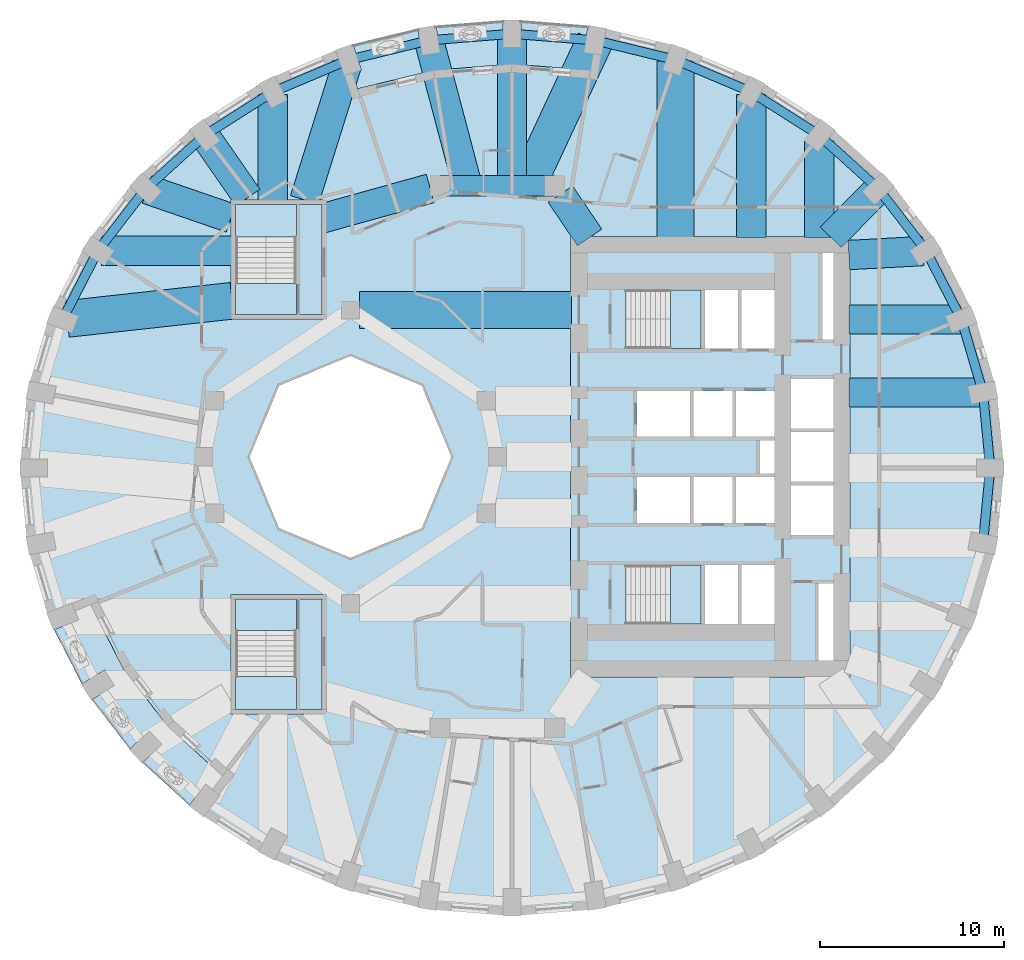
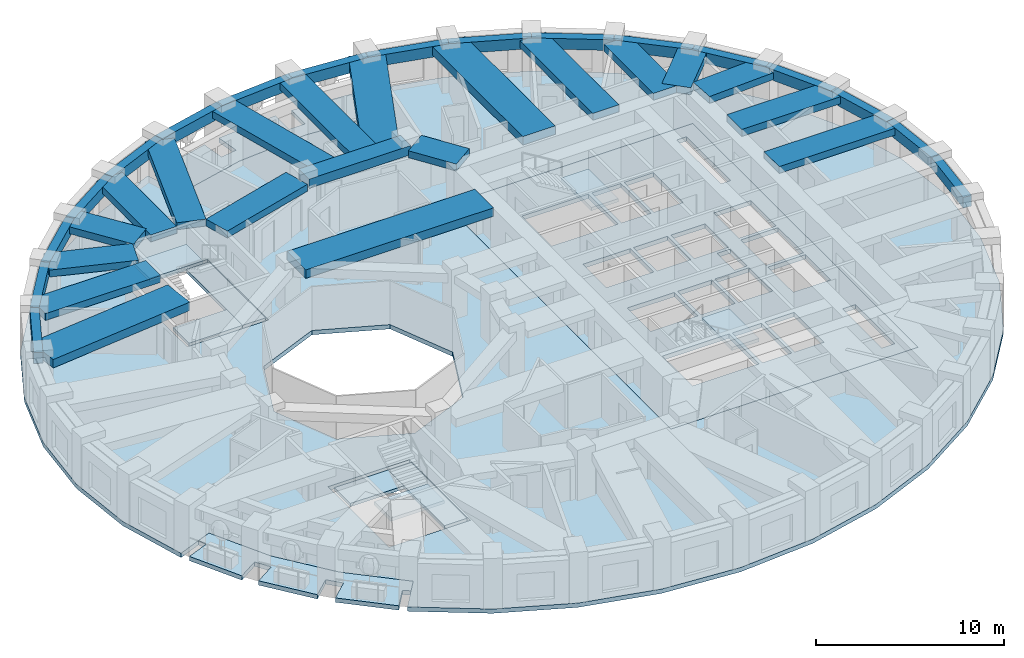
# One storey, part 2 of 12: 37 beams, 12 slabs, 4 elements without a shape of their own.
"""IFC4 building model written with IfcOpenShell, lengths in metres."""

from ifc_helpers import new_model, si_unit, direction, frame, origin, origin_2d, place, context, subcontext, project, spatial, polyline, rectangle, outline, extrude, material, layer, layer_set, material_profile, profile_set, type_object, element, aggregate, save


model = new_model("IFC4")

# Units and contexts
model_context = context("Model", 3, precision=1e-05, world=origin(), true_north=direction((0.0, 1.0)))
body_context = subcontext(model_context, "Body", "Model", "MODEL_VIEW")
ifc_project = project(units=[si_unit("LENGTHUNIT", "METRE"), si_unit("AREAUNIT", "SQUARE_METRE"), si_unit("VOLUMEUNIT", "CUBIC_METRE"), si_unit("PLANEANGLEUNIT", "RADIAN"), si_unit("MASSUNIT", "GRAM", prefix="KILO")], contexts=[model_context])

# Site, building, storey
site_placement = place(None, origin())
site = spatial("IfcSite", under=ifc_project, at=site_placement, CompositionType="ELEMENT")
building_placement = place(site_placement, origin())
building = spatial("IfcBuilding", under=site, at=building_placement, Name="Taillehof Tower", CompositionType="ELEMENT")
storey_placement = place(building_placement, frame((0.0, 0.0, 131.800048828125)))
storey = spatial("IfcBuildingStorey", under=building, at=storey_placement, Name="L37", CompositionType="ELEMENT", Elevation=131.800048828125)

# Beams
ifc_material_1 = material(Name="Concrete C50/60", Category="concrete")
ifc_material_profile_1 = material_profile(ifc_material_1, rectangle(XDim=1.10009765625, YDim=0.60009765625, at=origin_2d()), Name="RC 1100x600")
ifc_profile_set_1 = profile_set([ifc_material_profile_1], Name="Concrete C50/60")
beam_type_1 = type_object("IfcBeamType", Name="Mid-ring beam C50/60 1100x600", PredefinedType="BEAM", material=ifc_profile_set_1)
beam_1_placement = place(storey_placement, frame((3.125732421875, 14.772216796875, 2.550048828125), z_axis=(-1.0, 0.0, 0.0), x_axis=(0.0, -1.0, 0.0)))
element("IfcBeam", 1, at=beam_1_placement, inside=storey, type_object=beam_type_1, Name="Mid-ring beam MB01", PredefinedType="BEAM", context=body_context, shape_type="SweptSolid", body=[
    extrude(rectangle(XDim=1.10009765625, YDim=0.60009765625, at=origin_2d()), origin(), (0.0, 0.0, 1.0), 6.25146484375),
])
ifc_material_2 = material(Name="Concrete C50/60", Category="concrete")
ifc_material_profile_2 = material_profile(ifc_material_2, rectangle(XDim=1.60009765625, YDim=0.449951171875, at=origin_2d()), Name="RC 1600x450")
ifc_profile_set_2 = profile_set([ifc_material_profile_2], Name="Concrete C50/60")
beam_type_2 = type_object("IfcBeamType", Name="Radial band beam C50/60 1600x450", PredefinedType="BEAM", material=ifc_profile_set_2)
beam_2_placement = place(storey_placement, frame((26.454345703125, 3.5068359375, 2.625), z_axis=(-1.0, 0.0, 0.0), x_axis=(0.0, -1.0, 0.0)))
element("IfcBeam", 2, at=beam_2_placement, inside=storey, type_object=beam_type_2, Name="Radial band beam RB02", PredefinedType="BEAM", context=body_context, shape_type="SweptSolid", body=[
    extrude(rectangle(XDim=1.60009765625, YDim=0.449951171875, at=origin_2d()), origin(), (0.0, 0.0, 1.0), 7.304443359375),
])
beam_3_placement = place(storey_placement, frame((25.2275390625, 7.48876953125, 2.625), z_axis=(-1.0, 0.0, 0.0), x_axis=(0.0, -1.0, 0.0)))
element("IfcBeam", 3, at=beam_3_placement, inside=storey, type_object=beam_type_2, Name="Radial band beam RB03", PredefinedType="BEAM", context=body_context, shape_type="SweptSolid", body=[
    extrude(rectangle(XDim=1.60009765625, YDim=0.449951171875, at=origin_2d()), origin(), (0.0, 0.0, 1.0), 6.07763671875),
])
beam_4_placement = place(storey_placement, frame((23.197021484375, 11.21630859375, 2.625), z_axis=(-0.998539024739, -0.054035322466, 0.0), x_axis=(0.054035322466, -0.998539024739, 0.0)))
element("IfcBeam", 4, at=beam_4_placement, inside=storey, type_object=beam_type_2, Name="Radial band beam RB04", PredefinedType="BEAM", context=body_context, shape_type="SweptSolid", body=[
    extrude(rectangle(XDim=1.60009765625, YDim=0.449951171875, at=origin_2d()), origin(), (0.0, 0.0, 1.0), 4.052734375),
])
beam_5_placement = place(storey_placement, frame((20.75537109375, 14.60205078125, 2.625), z_axis=(-0.700671998657, -0.713483531903, 0.0), x_axis=(0.713483531903, -0.700671998657, 0.0)))
element("IfcBeam", 5, at=beam_5_placement, inside=storey, type_object=beam_type_2, Name="Radial band beam RB05", PredefinedType="BEAM", context=body_context, shape_type="SweptSolid", body=[
    extrude(rectangle(XDim=1.60009765625, YDim=0.449951171875, at=origin_2d()), origin(), (0.0, 0.0, 1.0), 3.697021484375),
])
beam_6_placement = place(storey_placement, frame((17.544677734375, 17.2216796875, 2.625), z_axis=(0.0, -1.0, 0.0), x_axis=(1.0, 0.0, 0.0)))
element("IfcBeam", 6, at=beam_6_placement, inside=storey, type_object=beam_type_2, Name="Radial band beam RB06", PredefinedType="BEAM", context=body_context, shape_type="SweptSolid", body=[
    extrude(rectangle(XDim=1.60009765625, YDim=0.449951171875, at=origin_2d()), origin(), (0.0, 0.0, 1.0), 5.271728515625),
])
beam_7_placement = place(storey_placement, frame((13.824951171875, 19.744384765625, 2.625), z_axis=(0.0, -1.0, 0.0), x_axis=(1.0, 0.0, 0.0)))
element("IfcBeam", 7, at=beam_7_placement, inside=storey, type_object=beam_type_2, Name="Radial band beam RB07", PredefinedType="BEAM", context=body_context, shape_type="SweptSolid", body=[
    extrude(rectangle(XDim=1.60009765625, YDim=0.449951171875, at=origin_2d()), origin(), (0.0, 0.0, 1.0), 7.79443359375),
])
beam_8_placement = place(storey_placement, frame((0.800048828125, 23.050048828125, 2.625), z_axis=(0.0, -1.0, 0.0), x_axis=(1.0, 0.0, 0.0)))
element("IfcBeam", 8, at=beam_8_placement, inside=storey, type_object=beam_type_2, Name="Radial band beam RB10", PredefinedType="BEAM", context=body_context, shape_type="SweptSolid", body=[
    extrude(rectangle(XDim=1.60009765625, YDim=0.449951171875, at=origin_2d()), origin(), (0.0, 0.0, 1.0), 8.27783203125),
])
beam_9_placement = place(storey_placement, frame((-3.7236328125, 22.690673828125, 2.625), z_axis=(0.256102263642, -0.966649693817, 0.0), x_axis=(0.966649693817, 0.256102263642, 0.0)))
element("IfcBeam", 9, at=beam_9_placement, inside=storey, type_object=beam_type_2, Name="Radial band beam RB11", PredefinedType="BEAM", context=body_context, shape_type="SweptSolid", body=[
    extrude(rectangle(XDim=1.60009765625, YDim=0.449951171875, at=origin_2d()), origin(), (0.0, 0.0, 1.0), 8.191650390625),
])
beam_10_placement = place(storey_placement, frame((-8.189453125, 21.369140625, 2.625), z_axis=(-0.299184997435, -0.954195125386, 0.0), x_axis=(0.954195125386, -0.299184997435, 0.0)))
element("IfcBeam", 10, at=beam_10_placement, inside=storey, type_object=beam_type_2, Name="Radial band beam RB12", PredefinedType="BEAM", context=body_context, shape_type="SweptSolid", body=[
    extrude(rectangle(XDim=1.60009765625, YDim=0.449951171875, at=origin_2d()), origin(), (0.0, 0.0, 1.0), 7.728515625),
])
beam_11_placement = place(storey_placement, frame((-12.22509765625, 19.744384765625, 2.625), z_axis=(0.0, -1.0, 0.0), x_axis=(1.0, 0.0, 0.0)))
element("IfcBeam", 11, at=beam_11_placement, inside=storey, type_object=beam_type_2, Name="Radial band beam RB13", PredefinedType="BEAM", context=body_context, shape_type="SweptSolid", body=[
    extrude(rectangle(XDim=1.60009765625, YDim=0.449951171875, at=origin_2d()), origin(), (0.0, 0.0, 1.0), 5.79443359375),
])
beam_12_placement = place(storey_placement, frame((-15.944580078125, 17.516845703125, 2.625), z_axis=(0.570763290366, -0.821114648737, 0.0), x_axis=(0.821114648737, 0.570763290366, 0.0)))
element("IfcBeam", 12, at=beam_12_placement, inside=storey, type_object=beam_type_2, Name="Radial band beam RB14", PredefinedType="BEAM", context=body_context, shape_type="SweptSolid", body=[
    extrude(rectangle(XDim=1.60009765625, YDim=0.449951171875, at=origin_2d()), origin(), (0.0, 0.0, 1.0), 4.1328125),
])
beam_13_placement = place(storey_placement, frame((-19.080810546875, 14.576171875, 2.625), z_axis=(0.945583195076, -0.325380425334, 0.0), x_axis=(0.325380425334, 0.945583195076, 0.0)))
element("IfcBeam", 13, at=beam_13_placement, inside=storey, type_object=beam_type_2, Name="Radial band beam RB15", PredefinedType="BEAM", context=body_context, shape_type="SweptSolid", body=[
    extrude(rectangle(XDim=1.60009765625, YDim=0.449951171875, at=origin_2d()), origin(), (0.0, 0.0, 1.0), 4.83349609375),
])
beam_14_placement = place(storey_placement, frame((-21.54736328125, 11.22509765625, 2.625), z_axis=(1.0, 0.0, 0.0), x_axis=(0.0, 1.0, 0.0)))
element("IfcBeam", 14, at=beam_14_placement, inside=storey, type_object=beam_type_2, Name="Radial band beam RB16", PredefinedType="BEAM", context=body_context, shape_type="SweptSolid", body=[
    extrude(rectangle(XDim=1.60009765625, YDim=0.449951171875, at=origin_2d()), origin(), (0.0, 0.0, 1.0), 7.097412109375),
])
beam_15_placement = place(storey_placement, frame((3.433837890625, 14.31640625, 2.625), z_axis=(0.560112043398, -0.828416862962, 0.0), x_axis=(0.828416862962, 0.560112043398, 0.0)))
element("IfcBeam", 15, at=beam_15_placement, inside=storey, type_object=beam_type_2, Name="Inner band beam IB205", PredefinedType="BEAM", context=body_context, shape_type="SweptSolid", body=[
    extrude(rectangle(XDim=1.60009765625, YDim=0.449951171875, at=origin_2d()), origin(), (0.0, 0.0, 1.0), 2.84619140625),
])
beam_16_placement = place(storey_placement, frame((-3.655517578125, 14.624755859375, 2.625), z_axis=(-0.963459369536, -0.267854518821, 0.0), x_axis=(0.267854518821, -0.963459369536, 0.0)))
element("IfcBeam", 16, at=beam_16_placement, inside=storey, type_object=beam_type_2, Name="Inner band beam IB206", PredefinedType="BEAM", context=body_context, shape_type="SweptSolid", body=[
    extrude(rectangle(XDim=1.60009765625, YDim=0.449951171875, at=origin_2d()), origin(), (0.0, 0.0, 1.0), 6.096923828125),
])
ifc_material_3 = material(Name="Concrete C50/60", Category="concrete")
ifc_material_profile_3 = material_profile(ifc_material_3, rectangle(XDim=2.0, YDim=0.550048828125, at=origin_2d()), Name="RC 2000x550")
ifc_profile_set_3 = profile_set([ifc_material_profile_3], Name="Concrete C50/60")
beam_type_3 = type_object("IfcBeamType", Name="Radial band beam C50/60 2000x550", PredefinedType="BEAM", material=ifc_profile_set_3)
beam_17_placement = place(storey_placement, frame((9.709716796875, 21.556640625, 2.574951171875), z_axis=(0.0, -1.0, 0.0), x_axis=(1.0, 0.0, 0.0)))
element("IfcBeam", 17, at=beam_17_placement, inside=storey, type_object=beam_type_3, Name="Radial band beam RB08", PredefinedType="BEAM", context=body_context, shape_type="SweptSolid", body=[
    extrude(rectangle(XDim=2.0, YDim=0.550048828125, at=origin_2d()), origin(), (0.0, 0.0, 1.0), 9.606689453125),
])
beam_18_placement = place(storey_placement, frame((5.312744140625, 22.66748046875, 2.574951171875), z_axis=(-0.423126261145, -0.90607072965, 0.0), x_axis=(0.90607072965, -0.423126261145, 0.0)))
element("IfcBeam", 18, at=beam_18_placement, inside=storey, type_object=beam_type_3, Name="Radial band beam RB09", PredefinedType="BEAM", context=body_context, shape_type="SweptSolid", body=[
    extrude(rectangle(XDim=2.0, YDim=0.550048828125, at=origin_2d()), origin(), (0.0, 0.0, 1.0), 8.713623046875),
])
beam_19_placement = place(storey_placement, frame((-23.42919921875, 7.516357421875, 2.574951171875), z_axis=(0.993988424713, 0.109485211499, 0.0), x_axis=(-0.109485211499, 0.993988424713, 0.0)))
element("IfcBeam", 19, at=beam_19_placement, inside=storey, type_object=beam_type_3, Name="Radial band beam RB17", PredefinedType="BEAM", context=body_context, shape_type="SweptSolid", body=[
    extrude(rectangle(XDim=2.0, YDim=0.550048828125, at=origin_2d()), origin(), (0.0, 0.0, 1.0), 9.033203125),
])
beam_20_placement = place(storey_placement, frame((-7.5, 8.0, 2.574951171875), z_axis=(1.0, 0.0, 0.0), x_axis=(0.0, 1.0, 0.0)))
element("IfcBeam", 20, at=beam_20_placement, inside=storey, type_object=beam_type_3, Name="Inner band beam IB105", PredefinedType="BEAM", context=body_context, shape_type="SweptSolid", body=[
    extrude(rectangle(XDim=2.0, YDim=0.550048828125, at=origin_2d()), origin(), (0.0, 0.0, 1.0), 11.550048828125),
])
ifc_material_4 = material(Name="Concrete C50/60", Category="concrete")
ifc_material_profile_4 = material_profile(ifc_material_4, rectangle(XDim=0.5, YDim=0.699951171875, at=origin_2d()), Name="RC 500x700")
ifc_profile_set_4 = profile_set([ifc_material_profile_4], Name="Concrete C50/60")
beam_type_4 = type_object("IfcBeamType", Name="Spandrel beam C50/60 500x700", PredefinedType="SPANDREL", material=ifc_profile_set_4)
beam_21_placement = place(storey_placement, frame((26.85009765625, -0.60009765625, 2.5), z_axis=(-0.095917608943, 0.995389276763, 0.0), x_axis=(-0.995389276763, -0.095917608943, 0.0)))
element("IfcBeam", 21, at=beam_21_placement, inside=storey, type_object=beam_type_4, Name="Spandrel beam SB01", PredefinedType="SPANDREL", context=body_context, shape_type="SweptSolid", body=[
    extrude(rectangle(XDim=0.5, YDim=0.699951171875, at=origin_2d()), origin(), (0.0, 0.0, 1.0), 4.1259765625),
])
beam_22_placement = place(storey_placement, frame((26.454345703125, 3.5068359375, 2.5), z_axis=(-0.28308309012, 0.95909538842, 0.0), x_axis=(-0.95909538842, -0.28308309012, 0.0)))
element("IfcBeam", 22, at=beam_22_placement, inside=storey, type_object=beam_type_4, Name="Spandrel beam SB02", PredefinedType="SPANDREL", context=body_context, shape_type="SweptSolid", body=[
    extrude(rectangle(XDim=0.5, YDim=0.699951171875, at=origin_2d()), origin(), (0.0, 0.0, 1.0), 4.15185546875),
])
beam_23_placement = place(storey_placement, frame((25.279052734375, 7.48876953125, 2.5), z_axis=(-0.456905372708, 0.88951530644, 0.0), x_axis=(-0.88951530644, -0.456905372708, 0.0)))
element("IfcBeam", 23, at=beam_23_placement, inside=storey, type_object=beam_type_4, Name="Spandrel beam SB03", PredefinedType="SPANDREL", context=body_context, shape_type="SweptSolid", body=[
    extrude(rectangle(XDim=0.5, YDim=0.699951171875, at=origin_2d()), origin(), (0.0, 0.0, 1.0), 4.200439453125),
])
beam_24_placement = place(storey_placement, frame((23.35986328125, 11.22509765625, 2.5), z_axis=(-0.61071731561, 0.79184869793, 0.0), x_axis=(-0.79184869793, -0.61071731561, 0.0)))
element("IfcBeam", 24, at=beam_24_placement, inside=storey, type_object=beam_type_4, Name="Spandrel beam SB04", PredefinedType="SPANDREL", context=body_context, shape_type="SweptSolid", body=[
    extrude(rectangle(XDim=0.5, YDim=0.699951171875, at=origin_2d()), origin(), (0.0, 0.0, 1.0), 4.2646484375),
])
beam_25_placement = place(storey_placement, frame((20.75537109375, 14.60205078125, 2.5), z_axis=(-0.740400998917, 0.672165426665, 0.0), x_axis=(-0.672165426665, -0.740400998917, 0.0)))
element("IfcBeam", 25, at=beam_25_placement, inside=storey, type_object=beam_type_4, Name="Spandrel beam SB05", PredefinedType="SPANDREL", context=body_context, shape_type="SweptSolid", body=[
    extrude(rectangle(XDim=0.5, YDim=0.699951171875, at=origin_2d()), origin(), (0.0, 0.0, 1.0), 4.33642578125),
])
beam_26_placement = place(storey_placement, frame((17.544677734375, 17.516845703125, 2.5), z_axis=(-0.843903157847, 0.536495536027, 0.0), x_axis=(-0.536495536027, -0.843903157847, 0.0)))
element("IfcBeam", 26, at=beam_26_placement, inside=storey, type_object=beam_type_4, Name="Spandrel beam SB06", PredefinedType="SPANDREL", context=body_context, shape_type="SweptSolid", body=[
    extrude(rectangle(XDim=0.5, YDim=0.699951171875, at=origin_2d()), origin(), (0.0, 0.0, 1.0), 4.40771484375),
])
beam_27_placement = place(storey_placement, frame((13.824951171875, 19.881591796875, 2.5), z_axis=(-0.920876744153, 0.389853847074, 0.0), x_axis=(-0.389853847074, -0.920876744153, 0.0)))
element("IfcBeam", 27, at=beam_27_placement, inside=storey, type_object=beam_type_4, Name="Spandrel beam SB07", PredefinedType="SPANDREL", context=body_context, shape_type="SweptSolid", body=[
    extrude(rectangle(XDim=0.5, YDim=0.699951171875, at=origin_2d()), origin(), (0.0, 0.0, 1.0), 4.46875),
])
beam_28_placement = place(storey_placement, frame((9.709716796875, 21.623779296875, 2.5), z_axis=(-0.971668945916, 0.23634605887, 0.0), x_axis=(-0.23634605887, -0.971668945916, 0.0)))
element("IfcBeam", 28, at=beam_28_placement, inside=storey, type_object=beam_type_4, Name="Spandrel beam SB08", PredefinedType="SPANDREL", context=body_context, shape_type="SweptSolid", body=[
    extrude(rectangle(XDim=0.5, YDim=0.699951171875, at=origin_2d()), origin(), (0.0, 0.0, 1.0), 4.51416015625),
])
beam_29_placement = place(storey_placement, frame((5.323486328125, 22.690673828125, 2.5), z_axis=(-0.996858923208, 0.079197772828, 0.0), x_axis=(-0.079197772828, -0.996858923208, 0.0)))
element("IfcBeam", 29, at=beam_29_placement, inside=storey, type_object=beam_type_4, Name="Spandrel beam SB09", PredefinedType="SPANDREL", context=body_context, shape_type="SweptSolid", body=[
    extrude(rectangle(XDim=0.5, YDim=0.699951171875, at=origin_2d()), origin(), (0.0, 0.0, 1.0), 4.53759765625),
])
beam_30_placement = place(storey_placement, frame((0.800048828125, 23.050048828125, 2.5), z_axis=(-0.996859260648, -0.079193525375, 0.0), x_axis=(0.079193525375, -0.996859260648, 0.0)))
element("IfcBeam", 30, at=beam_30_placement, inside=storey, type_object=beam_type_4, Name="Spandrel beam SB10", PredefinedType="SPANDREL", context=body_context, shape_type="SweptSolid", body=[
    extrude(rectangle(XDim=0.5, YDim=0.699951171875, at=origin_2d()), origin(), (0.0, 0.0, 1.0), 4.537841796875),
])
beam_31_placement = place(storey_placement, frame((-3.7236328125, 22.690673828125, 2.5), z_axis=(-0.971665924588, -0.236358479847, 0.0), x_axis=(0.236358479847, -0.971665924588, 0.0)))
element("IfcBeam", 31, at=beam_31_placement, inside=storey, type_object=beam_type_4, Name="Spandrel beam SB11", PredefinedType="SPANDREL", context=body_context, shape_type="SweptSolid", body=[
    extrude(rectangle(XDim=0.5, YDim=0.699951171875, at=origin_2d()), origin(), (0.0, 0.0, 1.0), 4.513916015625),
])
beam_32_placement = place(storey_placement, frame((-8.109619140625, 21.623779296875, 2.5), z_axis=(-0.920885046825, -0.389834234688, 0.0), x_axis=(0.389834234688, -0.920885046825, 0.0)))
element("IfcBeam", 32, at=beam_32_placement, inside=storey, type_object=beam_type_4, Name="Spandrel beam SB12", PredefinedType="SPANDREL", context=body_context, shape_type="SweptSolid", body=[
    extrude(rectangle(XDim=0.5, YDim=0.699951171875, at=origin_2d()), origin(), (0.0, 0.0, 1.0), 4.468994140625),
])
beam_33_placement = place(storey_placement, frame((-12.22509765625, 19.881591796875, 2.5), z_axis=(-0.843887214322, -0.536520614239, 0.0), x_axis=(0.536520614239, -0.843887214322, 0.0)))
element("IfcBeam", 33, at=beam_33_placement, inside=storey, type_object=beam_type_4, Name="Spandrel beam SB13", PredefinedType="SPANDREL", context=body_context, shape_type="SweptSolid", body=[
    extrude(rectangle(XDim=0.5, YDim=0.699951171875, at=origin_2d()), origin(), (0.0, 0.0, 1.0), 4.407470703125),
])
beam_34_placement = place(storey_placement, frame((-15.944580078125, 17.516845703125, 2.5), z_axis=(-0.740426434014, -0.672137408432, 0.0), x_axis=(0.672137408432, -0.740426434014, 0.0)))
element("IfcBeam", 34, at=beam_34_placement, inside=storey, type_object=beam_type_4, Name="Spandrel beam SB14", PredefinedType="SPANDREL", context=body_context, shape_type="SweptSolid", body=[
    extrude(rectangle(XDim=0.5, YDim=0.699951171875, at=origin_2d()), origin(), (0.0, 0.0, 1.0), 4.336669921875),
])
beam_35_placement = place(storey_placement, frame((-19.155517578125, 14.60205078125, 2.5), z_axis=(-0.61071731561, -0.79184869793, 0.0), x_axis=(0.79184869793, -0.61071731561, 0.0)))
element("IfcBeam", 35, at=beam_35_placement, inside=storey, type_object=beam_type_4, Name="Spandrel beam SB15", PredefinedType="SPANDREL", context=body_context, shape_type="SweptSolid", body=[
    extrude(rectangle(XDim=0.5, YDim=0.699951171875, at=origin_2d()), origin(), (0.0, 0.0, 1.0), 4.2646484375),
])
beam_36_placement = place(storey_placement, frame((-21.760009765625, 11.22509765625, 2.5), z_axis=(-0.456859381733, -0.889538928503, 0.0), x_axis=(0.889538928503, -0.456859381733, 0.0)))
element("IfcBeam", 36, at=beam_36_placement, inside=storey, type_object=beam_type_4, Name="Spandrel beam SB16", PredefinedType="SPANDREL", context=body_context, shape_type="SweptSolid", body=[
    extrude(rectangle(XDim=0.5, YDim=0.699951171875, at=origin_2d()), origin(), (0.0, 0.0, 1.0), 4.2001953125),
])
beam_37_placement = place(storey_placement, frame((26.454345703125, -4.706787109375, 2.5), z_axis=(0.09592325873, 0.995388732323, 0.0), x_axis=(-0.995388732323, 0.09592325873, 0.0)))
element("IfcBeam", 37, at=beam_37_placement, inside=storey, type_object=beam_type_4, Name="Spandrel beam SB36", PredefinedType="SPANDREL", context=body_context, shape_type="SweptSolid", body=[
    extrude(rectangle(XDim=0.5, YDim=0.699951171875, at=origin_2d()), origin(), (0.0, 0.0, 1.0), 4.125732421875),
])

# Slabs
ifc_material_5 = material(Name="Concrete C40/50", Category="concrete")
ifc_layer_1 = layer(ifc_material_5, 0.280029296875)
ifc_layer_set_1 = layer_set([ifc_layer_1], Name="Balcony slab 280")
slab_type_1 = type_object("IfcSlabType", Name="Balcony slab 280", PredefinedType="USERDEFINED", material=ifc_layer_set_1)
slab_1_placement = place(storey_placement, frame((0.0, 0.0, -0.280029296875)))
element("IfcSlab", 38, at=slab_1_placement, inside=storey, type_object=slab_type_1, Name="Balcony L37 pocket 2", ObjectType="BALCONY", PredefinedType="USERDEFINED", context=body_context, shape_type="SweptSolid", body=[
    extrude(outline(polyline([(-7.611328125, 20.05029296875), (-7.894287109375, 20.905029296875), (-7.399169921875, 21.069091796875), (-7.857666015625, 22.45263671875), (-4.329833984375, 23.313232421875), (-4.098388671875, 21.870849609375), (-3.111083984375, 22.029541015625), (-3.34228515625, 23.469970703125), (0.300048828125, 23.76025390625), (0.300048828125, 22.300048828125), (1.300048828125, 22.300048828125), (1.300048828125, 23.76025390625), (4.942138671875, 23.469970703125), (4.7109375, 22.029541015625), (5.216064453125, 21.9482421875), (5.0732421875, 21.0595703125), (0.800048828125, 21.39990234375), (-3.473388671875, 21.0595703125), (-7.611328125, 20.05029296875)])), origin(), (0.0, 0.0, 1.0), 0.280029296875),
])
slab_2_placement = place(storey_placement, frame((0.0, 0.0, -0.280029296875)))
element("IfcSlab", 39, at=slab_2_placement, inside=storey, type_object=slab_type_1, Name="Balcony L37 pocket 6", ObjectType="BALCONY", PredefinedType="USERDEFINED", context=body_context, shape_type="SweptSolid", body=[
    extrude(outline(polyline([(-14.9697265625, -17.38427734375), (-15.5166015625, -18.10009765625), (-15.88671875, -17.8173828125), (-16.7724609375, -18.976806640625), (-19.3330078125, -16.6455078125), (-18.26513671875, -15.661376953125), (-18.94287109375, -14.926025390625), (-20.0146484375, -15.913818359375), (-22.084228515625, -13.22265625), (-20.85888671875, -12.445556640625), (-21.394287109375, -11.60107421875), (-22.6240234375, -12.380859375), (-24.14404296875, -9.4130859375), (-22.796875, -8.874755859375), (-22.9912109375, -8.388671875), (-22.1552734375, -8.054443359375), (-20.382568359375, -11.5146484375), (-17.965087890625, -14.657470703125), (-14.9697265625, -17.38427734375)])), origin(), (0.0, 0.0, 1.0), 0.280029296875),
])
ifc_material_6 = material(Name="Concrete C40/50", Category="concrete")
ifc_layer_2 = layer(ifc_material_6, 0.280029296875)
ifc_layer_set_2 = layer_set([ifc_layer_2], Name="Core floor slab C40/50 280")
slab_type_2 = type_object("IfcSlabType", Name="Core floor slab C40/50 280", PredefinedType="FLOOR", material=ifc_layer_set_2)
slab_3_placement = place(storey_placement, frame((0.0, 0.0, -0.280029296875)))
element("IfcSlab", 40, at=slab_3_placement, inside=storey, type_object=slab_type_2, Name="Core floor L37", PredefinedType="FLOOR", context=body_context, shape_type="SweptSolid", body=[
    extrude(outline(polyline([(4.0, -12.0), (4.0, 12.0), (19.199951171875, 12.0), (19.199951171875, -12.0), (4.0, -12.0)]), holes=[polyline([(7.00048828125, -9.10009765625), (11.10009765625, -9.10009765625), (11.10009765625, -5.89990234375), (7.00048828125, -5.89990234375), (7.00048828125, -9.10009765625)]), polyline([(13.10009765625, -9.10009765625), (13.10009765625, -5.89990234375), (11.300048828125, -5.89990234375), (11.300048828125, -9.10009765625), (13.10009765625, -9.10009765625)]), polyline([(10.5, -3.60009765625), (10.5, -1.10009765625), (7.60009765625, -1.10009765625), (7.60009765625, -3.60009765625), (10.5, -3.60009765625)]), polyline([(12.800048828125, -3.60009765625), (12.800048828125, -1.10009765625), (10.699951171875, -1.10009765625), (10.699951171875, -3.60009765625), (12.800048828125, -3.60009765625)]), polyline([(10.5, 1.10009765625), (10.5, 3.60009765625), (7.60009765625, 3.60009765625), (7.60009765625, 1.10009765625), (10.5, 1.10009765625)]), polyline([(12.800048828125, 1.10009765625), (12.800048828125, 3.60009765625), (10.699951171875, 3.60009765625), (10.699951171875, 1.10009765625), (12.800048828125, 1.10009765625)]), polyline([(15.10009765625, 1.10009765625), (15.10009765625, 3.60009765625), (13.0, 3.60009765625), (13.0, 1.10009765625), (15.10009765625, 1.10009765625)]), polyline([(11.300048828125, 5.89990234375), (13.10009765625, 5.89990234375), (13.10009765625, 9.10009765625), (11.300048828125, 9.10009765625), (11.300048828125, 5.89990234375)]), polyline([(7.00048828125, 5.89990234375), (11.10009765625, 5.89990234375), (11.10009765625, 9.10009765625), (7.00048828125, 9.10009765625), (7.00048828125, 5.89990234375)]), polyline([(18.300048828125, -11.10009765625), (18.300048828125, -6.89990234375), (17.5, -6.89990234375), (17.5, -11.10009765625), (18.300048828125, -11.10009765625)]), polyline([(15.10009765625, -9.10009765625), (15.10009765625, -5.89990234375), (13.300048828125, -5.89990234375), (13.300048828125, -9.10009765625), (15.10009765625, -9.10009765625)]), polyline([(18.300048828125, -4.25), (18.300048828125, -1.550048828125), (16.0, -1.550048828125), (16.0, -4.25), (18.300048828125, -4.25)]), polyline([(15.10009765625, -3.60009765625), (15.10009765625, -1.10009765625), (13.0, -1.10009765625), (13.0, -3.60009765625), (15.10009765625, -3.60009765625)]), polyline([(15.10009765625, -0.89990234375), (15.10009765625, 0.89990234375), (14.300048828125, 0.89990234375), (14.300048828125, -0.89990234375), (15.10009765625, -0.89990234375)]), polyline([(18.300048828125, -1.35009765625), (18.300048828125, 1.35009765625), (16.0, 1.35009765625), (16.0, -1.35009765625), (18.300048828125, -1.35009765625)]), polyline([(18.300048828125, 1.550048828125), (18.300048828125, 4.25), (16.0, 4.25), (16.0, 1.550048828125), (18.300048828125, 1.550048828125)]), polyline([(13.300048828125, 5.89990234375), (15.10009765625, 5.89990234375), (15.10009765625, 9.10009765625), (13.300048828125, 9.10009765625), (13.300048828125, 5.89990234375)]), polyline([(17.699951171875, 6.39990234375), (18.300048828125, 6.39990234375), (18.300048828125, 11.10009765625), (17.699951171875, 11.10009765625), (17.699951171875, 6.39990234375)])]), origin(), (0.0, 0.0, 1.0), 0.280029296875),
])
ifc_material_7 = material(Name="Concrete C40/50", Category="concrete")
ifc_layer_3 = layer(ifc_material_7, 0.280029296875)
ifc_layer_set_3 = layer_set([ifc_layer_3], Name="Floor slab 280")
slab_type_3 = type_object("IfcSlabType", Name="Floor slab 280", PredefinedType="FLOOR", material=ifc_layer_set_3)
slab_4_placement = place(storey_placement, frame((0.0, 0.0, -0.280029296875)))
element("IfcSlab", 41, at=slab_4_placement, inside=storey, type_object=slab_type_3, Name="Floor slab L37", PredefinedType="FLOOR", context=body_context, shape_type="SweptSolid", body=[
    extrude(outline(polyline([(27.60009765625, -0.60009765625), (27.19287109375, 3.636962890625), (25.98388671875, 7.745361328125), (24.009521484375, 11.60009765625), (21.330078125, 15.083984375), (18.026611328125, 18.091552734375), (14.199951171875, 20.531005859375), (9.966064453125, 22.32861328125), (5.453857421875, 23.42919921875), (5.073486328125, 21.059814453125), (0.800048828125, 21.39990234375), (-3.473388671875, 21.059814453125), (-7.611083984375, 20.05029296875), (-8.3662109375, 22.32861328125), (-12.60009765625, 20.531005859375), (-16.4267578125, 18.091552734375), (-19.72998046875, 15.083984375), (-22.409423828125, 11.60009765625), (-24.3837890625, 7.745361328125), (-25.5927734375, 3.636962890625), (-26.0, -0.60009765625), (-25.5927734375, -4.8369140625), (-24.3837890625, -8.9453125), (-22.1552734375, -8.054443359375), (-20.3828125, -11.5146484375), (-17.965087890625, -14.657470703125), (-14.9697265625, -17.38427734375), (-16.4267578125, -19.29150390625), (-12.60009765625, -21.73095703125), (-8.3662109375, -23.528564453125), (-3.853759765625, -24.62939453125), (0.800048828125, -25.0), (5.453857421875, -24.62939453125), (9.966064453125, -23.528564453125), (14.199951171875, -21.73095703125), (18.026611328125, -19.29150390625), (21.330078125, -16.283935546875), (24.009521484375, -12.800048828125), (25.98388671875, -8.9453125), (27.19287109375, -4.8369140625), (27.60009765625, -0.60009765625)]), holes=[polyline([(-14.5, -7.5), (-9.5, -7.5), (-9.5, -14.0), (-14.5, -14.0), (-14.5, -7.5)]), polyline([(-8.0, -5.5), (-11.88916015625, -3.88916015625), (-13.5, 0.0), (-11.88916015625, 3.88916015625), (-8.0, 5.5), (-4.11083984375, 3.88916015625), (-2.5, 0.0), (-4.11083984375, -3.88916015625), (-8.0, -5.5)]), polyline([(19.199951171875, 12.0), (19.199951171875, -12.0), (4.0, -12.0), (4.0, 12.0), (19.199951171875, 12.0)]), polyline([(-14.5, 14.0), (-9.5, 14.0), (-9.5, 7.5), (-14.5, 7.5), (-14.5, 14.0)])]), origin(), (0.0, 0.0, 1.0), 0.280029296875),
])

# Stair, slab
ifc_material_8 = material(Name="Concrete C40/50", Category="concrete")
stair_type = type_object("IfcStairType", Name="Exit stair half-turn", PredefinedType="HALF_TURN_STAIR", material=ifc_material_8)
stair_1_placement = place(storey_placement, origin())
stair_1 = element("IfcStair", 42, at=stair_1_placement, inside=storey, type_object=stair_type, Name="Exit stair S1", PredefinedType="HALF_TURN_STAIR")
ifc_material_9 = material(Name="Concrete C40/50", Category="concrete")
ifc_layer_4 = layer(ifc_material_9, 0.2099609375)
ifc_layer_set_4 = layer_set([ifc_layer_4], Name="Stair landing C40/50 210")
slab_type_4 = type_object("IfcSlabType", Name="Stair landing C40/50 210", PredefinedType="LANDING", material=ifc_layer_set_4)
slab_5_placement = place(storey_placement, frame((0.0, 0.0, 1.43994140625)))
slab_5 = element("IfcSlab", 43, at=slab_5_placement, type_object=slab_type_4, Name="S1 landing 1", PredefinedType="LANDING", context=body_context, shape_type="SweptSolid", body=[
    extrude(outline(polyline([(9.429931640625, 5.89990234375), (11.10009765625, 5.89990234375), (11.10009765625, 9.10009765625), (9.429931640625, 9.10009765625), (9.429931640625, 5.89990234375)])), origin(), (0.0, 0.0, 1.0), 0.2099609375),
])
aggregate(stair_1, [slab_5])

stair_2_placement = place(storey_placement, origin())
stair_2 = element("IfcStair", 44, at=stair_2_placement, inside=storey, type_object=stair_type, Name="Exit stair S2", PredefinedType="HALF_TURN_STAIR")
slab_6_placement = place(storey_placement, frame((0.0, 0.0, 1.43994140625)))
slab_6 = element("IfcSlab", 45, at=slab_6_placement, type_object=slab_type_4, Name="S2 landing 1", PredefinedType="LANDING", context=body_context, shape_type="SweptSolid", body=[
    extrude(outline(polyline([(9.429931640625, -5.89990234375), (11.10009765625, -5.89990234375), (11.10009765625, -9.10009765625), (9.429931640625, -9.10009765625), (9.429931640625, -5.89990234375)])), origin(), (0.0, 0.0, 1.0), 0.2099609375),
])
aggregate(stair_2, [slab_6])

stair_3_placement = place(storey_placement, origin())
stair_3 = element("IfcStair", 46, at=stair_3_placement, inside=storey, type_object=stair_type, Name="Exit stair S3", PredefinedType="HALF_TURN_STAIR")
slab_7_placement = place(storey_placement, frame((0.0, 0.0, 1.43994140625)))
slab_7 = element("IfcSlab", 47, at=slab_7_placement, type_object=slab_type_4, Name="S3 landing 1", PredefinedType="LANDING", context=body_context, shape_type="SweptSolid", body=[
    extrude(outline(polyline([(-14.25, 11.969970703125), (-14.25, 13.75), (-10.949951171875, 13.75), (-10.949951171875, 11.969970703125), (-14.25, 11.969970703125)])), origin(), (0.0, 0.0, 1.0), 0.2099609375),
])
aggregate(stair_3, [slab_7])

stair_4_placement = place(storey_placement, origin())
stair_4 = element("IfcStair", 48, at=stair_4_placement, inside=storey, type_object=stair_type, Name="Exit stair S4", PredefinedType="HALF_TURN_STAIR")
slab_8_placement = place(storey_placement, frame((0.0, 0.0, 1.43994140625)))
slab_8 = element("IfcSlab", 49, at=slab_8_placement, type_object=slab_type_4, Name="S4 landing 1", PredefinedType="LANDING", context=body_context, shape_type="SweptSolid", body=[
    extrude(outline(polyline([(-14.25, -11.969970703125), (-14.25, -13.75), (-10.949951171875, -13.75), (-10.949951171875, -11.969970703125), (-14.25, -11.969970703125)])), origin(), (0.0, 0.0, 1.0), 0.2099609375),
])
aggregate(stair_4, [slab_8])

# Slabs
slab_9_placement = place(storey_placement, frame((0.0, 0.0, -0.2099609375)))
element("IfcSlab", 50, at=slab_9_placement, inside=storey, type_object=slab_type_4, Name="Stair S3 floor landing", PredefinedType="LANDING", context=body_context, shape_type="SweptSolid", body=[
    extrude(outline(polyline([(-14.25, 7.75), (-14.25, 9.449951171875), (-10.949951171875, 9.449951171875), (-10.949951171875, 7.75), (-14.25, 7.75)])), origin(), (0.0, 0.0, 1.0), 0.2099609375),
])
slab_10_placement = place(storey_placement, frame((0.0, 0.0, -0.2099609375)))
element("IfcSlab", 51, at=slab_10_placement, inside=storey, type_object=slab_type_4, Name="Stair lobby S3 floor", PredefinedType="LANDING", context=body_context, shape_type="SweptSolid", body=[
    extrude(outline(polyline([(-10.949951171875, 7.75), (-9.550048828125, 7.75), (-9.550048828125, 13.75), (-10.949951171875, 13.75), (-10.949951171875, 7.75)])), origin(), (0.0, 0.0, 1.0), 0.2099609375),
])
slab_11_placement = place(storey_placement, frame((0.0, 0.0, -0.2099609375)))
element("IfcSlab", 52, at=slab_11_placement, inside=storey, type_object=slab_type_4, Name="Stair S4 floor landing", PredefinedType="LANDING", context=body_context, shape_type="SweptSolid", body=[
    extrude(outline(polyline([(-14.25, -7.75), (-14.25, -9.449951171875), (-10.949951171875, -9.449951171875), (-10.949951171875, -7.75), (-14.25, -7.75)])), origin(), (0.0, 0.0, 1.0), 0.2099609375),
])
slab_12_placement = place(storey_placement, frame((0.0, 0.0, -0.2099609375)))
element("IfcSlab", 53, at=slab_12_placement, inside=storey, type_object=slab_type_4, Name="Stair lobby S4 floor", PredefinedType="LANDING", context=body_context, shape_type="SweptSolid", body=[
    extrude(outline(polyline([(-10.949951171875, -13.75), (-9.550048828125, -13.75), (-9.550048828125, -7.75), (-10.949951171875, -7.75), (-10.949951171875, -13.75)])), origin(), (0.0, 0.0, 1.0), 0.2099609375),
])

save(model, "model.ifc")
